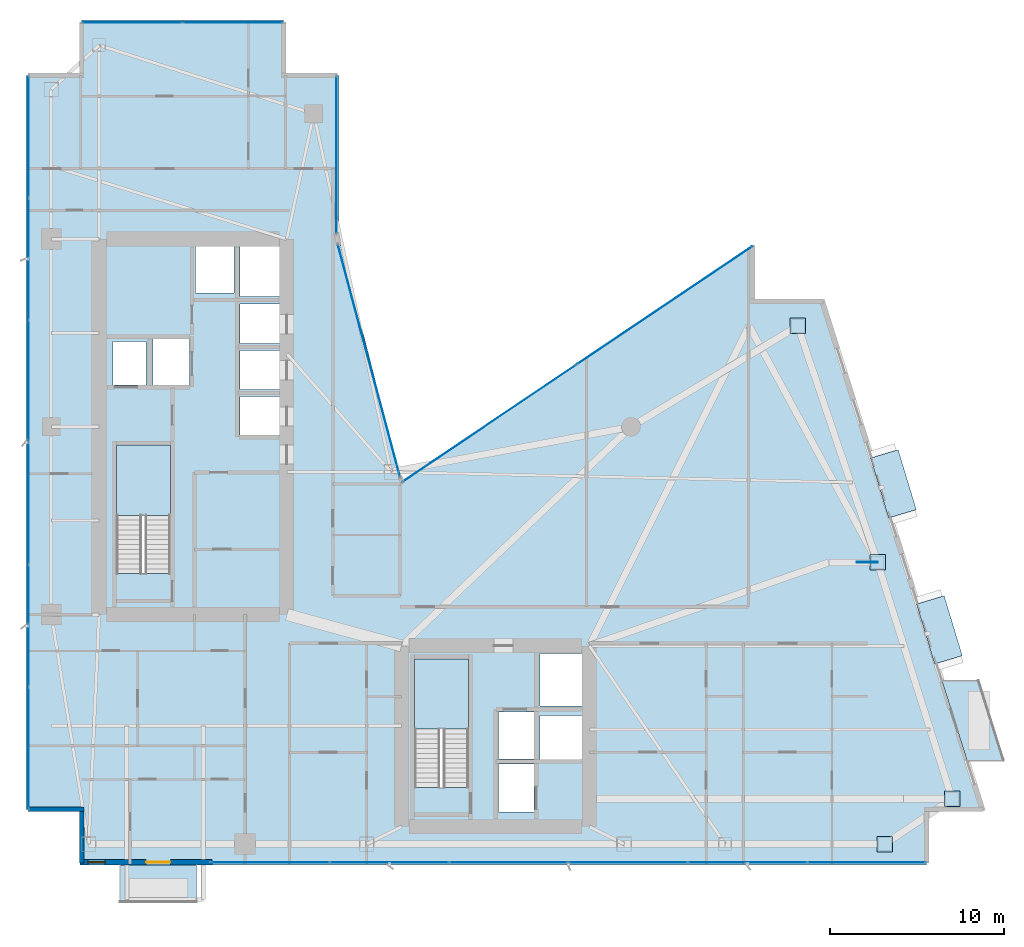
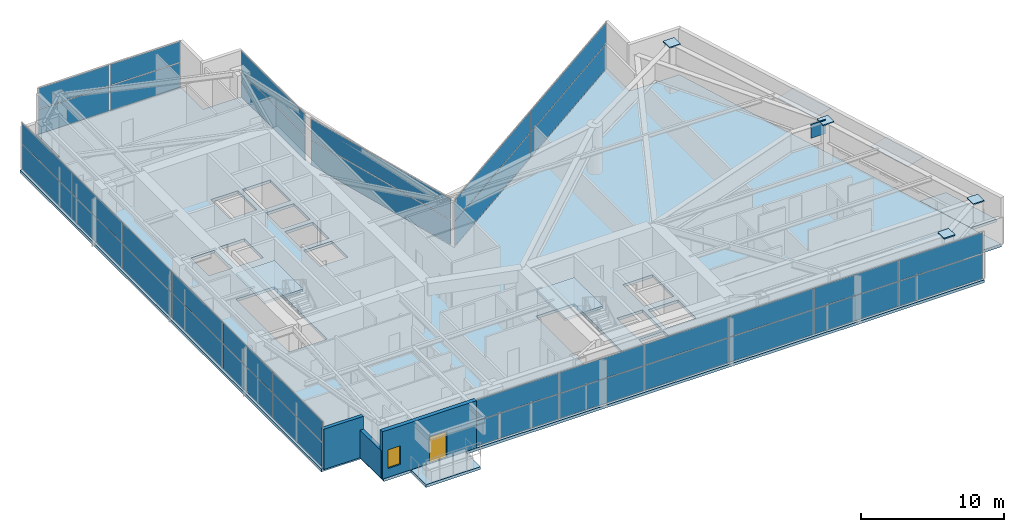
# One storey, part 23 of 30: 43 plates, 5 slabs, 3 walls, 1 door, 1 window, 2 openings, 8 elements without a shape of their own.
"""IFC4 building model written with IfcOpenShell, lengths in metres."""

from ifc_helpers import new_model, si_unit, direction, frame, frame_2d, origin, origin_2d, place, context, subcontext, project, spatial, polyline, rectangle, outline, extrude, material, layer, layer_set, type_object, element, fill, aggregate, save


model = new_model("IFC4")

# Units and contexts
model_context = context("Model", 3, precision=1e-05, world=origin(), true_north=direction((0.0, 1.0)))
body_context = subcontext(model_context, "Body", "Model", "MODEL_VIEW")
ifc_project = project(units=[si_unit("LENGTHUNIT", "METRE"), si_unit("AREAUNIT", "SQUARE_METRE"), si_unit("VOLUMEUNIT", "CUBIC_METRE"), si_unit("PLANEANGLEUNIT", "RADIAN"), si_unit("MASSUNIT", "GRAM", prefix="KILO")], contexts=[model_context])

# Site, building, storey
site_placement = place(None, origin())
site = spatial("IfcSite", under=ifc_project, at=site_placement, CompositionType="ELEMENT")
building_placement = place(site_placement, origin())
building = spatial("IfcBuilding", under=site, at=building_placement, Name="Calvorn Quay Hotel", CompositionType="ELEMENT")
storey_placement = place(building_placement, frame((0.0, 0.0, 195.10009765625)))
storey = spatial("IfcBuildingStorey", under=building, at=storey_placement, Name="L48", CompositionType="ELEMENT", Elevation=195.10009765625)

# Curtain wall, plates
ifc_material_1 = material(Name="Champagne Bronze Anodised Aluminium and Low-E Glass", Category="aluminium")
ifc_layer_1 = layer(ifc_material_1, 0.219970703125)
ifc_layer_set_1 = layer_set([ifc_layer_1], Name="CW-SYS-Z3")
curtain_wall_type = type_object("IfcCurtainWallType", Name="CW-SYS-Z3", PredefinedType="NOTDEFINED", material=ifc_layer_set_1)
curtain_wall_1_placement = place(storey_placement, origin())
curtain_wall_1 = element("IfcCurtainWall", 1, at=curtain_wall_1_placement, inside=storey, type_object=curtain_wall_type, Name="Tower West Curtain Wall (L48)", PredefinedType="NOTDEFINED")
ifc_material_2 = material(Name="Low-E Laminated Double Glazing", Category="glass")
ifc_layer_2 = layer(ifc_material_2, 0.028076171875)
ifc_layer_set_2 = layer_set([ifc_layer_2], Name="CW-SYS-Z3-PAN")
plate_type_1 = type_object("IfcPlateType", Name="CW-SYS-Z3-PAN", PredefinedType="CURTAIN_PANEL", material=ifc_layer_set_2)
plate_1_placement = place(storey_placement, frame((0.14990234375, 9.131591796875, 0.06005859375), z_axis=(0.0, 0.0, 1.0), x_axis=(0.0, 1.0, 0.0)))
plate_1 = element("IfcPlate", 2, at=plate_1_placement, type_object=plate_type_1, Name="CW-L48-W panel 1.1", PredefinedType="CURTAIN_PANEL", context=body_context, shape_type="SweptSolid", body=[
    extrude(rectangle(XDim=6.943359375, YDim=0.028076171875, at=origin_2d()), origin(), (0.0, 0.0, 1.0), 2.110107421875),
])
plate_2_placement = place(storey_placement, frame((0.14990234375, 9.131591796875, 2.22998046875), z_axis=(0.0, 0.0, 1.0), x_axis=(0.0, 1.0, 0.0)))
plate_2 = element("IfcPlate", 3, at=plate_2_placement, type_object=plate_type_1, Name="CW-L48-W panel 1.2", PredefinedType="CURTAIN_PANEL", context=body_context, shape_type="SweptSolid", body=[
    extrude(rectangle(XDim=6.943359375, YDim=0.028076171875, at=origin_2d()), origin(), (0.0, 0.0, 1.0), 1.760009765625),
])
plate_3_placement = place(storey_placement, frame((0.14990234375, 16.14990234375, 0.06005859375), z_axis=(0.0, 0.0, 1.0), x_axis=(0.0, 1.0, 0.0)))
plate_3 = element("IfcPlate", 4, at=plate_3_placement, type_object=plate_type_1, Name="CW-L48-W panel 2.1", PredefinedType="CURTAIN_PANEL", context=body_context, shape_type="SweptSolid", body=[
    extrude(rectangle(XDim=6.973388671875, YDim=0.028076171875, at=origin_2d()), origin(), (0.0, 0.0, 1.0), 2.110107421875),
])
plate_4_placement = place(storey_placement, frame((0.14990234375, 16.14990234375, 2.22998046875), z_axis=(0.0, 0.0, 1.0), x_axis=(0.0, 1.0, 0.0)))
plate_4 = element("IfcPlate", 5, at=plate_4_placement, type_object=plate_type_1, Name="CW-L48-W panel 2.2", PredefinedType="CURTAIN_PANEL", context=body_context, shape_type="SweptSolid", body=[
    extrude(rectangle(XDim=6.973388671875, YDim=0.028076171875, at=origin_2d()), origin(), (0.0, 0.0, 1.0), 1.760009765625),
])
plate_5_placement = place(storey_placement, frame((0.14990234375, 23.183349609375, 0.06005859375), z_axis=(0.0, 0.0, 1.0), x_axis=(0.0, 1.0, 0.0)))
plate_5 = element("IfcPlate", 6, at=plate_5_placement, type_object=plate_type_1, Name="CW-L48-W panel 3.1", PredefinedType="CURTAIN_PANEL", context=body_context, shape_type="SweptSolid", body=[
    extrude(rectangle(XDim=6.973388671875, YDim=0.028076171875, at=origin_2d()), origin(), (0.0, 0.0, 1.0), 2.110107421875),
])
plate_6_placement = place(storey_placement, frame((0.14990234375, 23.183349609375, 2.22998046875), z_axis=(0.0, 0.0, 1.0), x_axis=(0.0, 1.0, 0.0)))
plate_6 = element("IfcPlate", 7, at=plate_6_placement, type_object=plate_type_1, Name="CW-L48-W panel 3.2", PredefinedType="CURTAIN_PANEL", context=body_context, shape_type="SweptSolid", body=[
    extrude(rectangle(XDim=6.973388671875, YDim=0.028076171875, at=origin_2d()), origin(), (0.0, 0.0, 1.0), 1.760009765625),
])
plate_7_placement = place(storey_placement, frame((0.14990234375, 30.216552734375, 0.06005859375), z_axis=(0.0, 0.0, 1.0), x_axis=(0.0, 1.0, 0.0)))
plate_7 = element("IfcPlate", 8, at=plate_7_placement, type_object=plate_type_1, Name="CW-L48-W panel 4.1", PredefinedType="CURTAIN_PANEL", context=body_context, shape_type="SweptSolid", body=[
    extrude(rectangle(XDim=6.973388671875, YDim=0.028076171875, at=origin_2d()), origin(), (0.0, 0.0, 1.0), 2.110107421875),
])
plate_8_placement = place(storey_placement, frame((0.14990234375, 30.216552734375, 2.22998046875), z_axis=(0.0, 0.0, 1.0), x_axis=(0.0, 1.0, 0.0)))
plate_8 = element("IfcPlate", 9, at=plate_8_placement, type_object=plate_type_1, Name="CW-L48-W panel 4.2", PredefinedType="CURTAIN_PANEL", context=body_context, shape_type="SweptSolid", body=[
    extrude(rectangle(XDim=6.973388671875, YDim=0.028076171875, at=origin_2d()), origin(), (0.0, 0.0, 1.0), 1.760009765625),
])
plate_9_placement = place(storey_placement, frame((0.14990234375, 37.25, 0.06005859375), z_axis=(0.0, 0.0, 1.0), x_axis=(0.0, 1.0, 0.0)))
plate_9 = element("IfcPlate", 10, at=plate_9_placement, type_object=plate_type_1, Name="CW-L48-W panel 5.1", PredefinedType="CURTAIN_PANEL", context=body_context, shape_type="SweptSolid", body=[
    extrude(rectangle(XDim=6.973388671875, YDim=0.028076171875, at=origin_2d()), origin(), (0.0, 0.0, 1.0), 2.110107421875),
])
plate_10_placement = place(storey_placement, frame((0.14990234375, 37.25, 2.22998046875), z_axis=(0.0, 0.0, 1.0), x_axis=(0.0, 1.0, 0.0)))
plate_10 = element("IfcPlate", 11, at=plate_10_placement, type_object=plate_type_1, Name="CW-L48-W panel 5.2", PredefinedType="CURTAIN_PANEL", context=body_context, shape_type="SweptSolid", body=[
    extrude(rectangle(XDim=6.973388671875, YDim=0.028076171875, at=origin_2d()), origin(), (0.0, 0.0, 1.0), 1.760009765625),
])
plate_11_placement = place(storey_placement, frame((0.14990234375, 44.268310546875, 0.06005859375), z_axis=(0.0, 0.0, 1.0), x_axis=(0.0, 1.0, 0.0)))
plate_11 = element("IfcPlate", 12, at=plate_11_placement, type_object=plate_type_1, Name="CW-L48-W panel 6.1", PredefinedType="CURTAIN_PANEL", context=body_context, shape_type="SweptSolid", body=[
    extrude(rectangle(XDim=6.943359375, YDim=0.028076171875, at=origin_2d()), origin(), (0.0, 0.0, 1.0), 2.110107421875),
])
plate_12_placement = place(storey_placement, frame((0.14990234375, 44.268310546875, 2.22998046875), z_axis=(0.0, 0.0, 1.0), x_axis=(0.0, 1.0, 0.0)))
plate_12 = element("IfcPlate", 13, at=plate_12_placement, type_object=plate_type_1, Name="CW-L48-W panel 6.2", PredefinedType="CURTAIN_PANEL", context=body_context, shape_type="SweptSolid", body=[
    extrude(rectangle(XDim=6.943359375, YDim=0.028076171875, at=origin_2d()), origin(), (0.0, 0.0, 1.0), 1.760009765625),
])
aggregate(curtain_wall_1, [plate_1, plate_2, plate_3, plate_4, plate_5, plate_6, plate_7, plate_8, plate_9, plate_10, plate_11, plate_12])

curtain_wall_2_placement = place(storey_placement, origin())
curtain_wall_2 = element("IfcCurtainWall", 14, at=curtain_wall_2_placement, inside=storey, type_object=curtain_wall_type, Name="Tower South Waterfront Curtain Wall (L48)", PredefinedType="NOTDEFINED")
plate_13_placement = place(storey_placement, frame((14.04833984375, 2.550048828125, 0.06005859375), z_axis=(0.0, 0.0, 1.0), x_axis=(1.0, 0.0, 0.0)))
plate_13 = element("IfcPlate", 15, at=plate_13_placement, type_object=plate_type_1, Name="CW-L48-S panel 1.1", PredefinedType="CURTAIN_PANEL", context=body_context, shape_type="SweptSolid", body=[
    extrude(rectangle(XDim=6.776611328125, YDim=0.028076171875, at=origin_2d()), origin(), (0.0, 0.0, 1.0), 2.110107421875),
])
plate_14_placement = place(storey_placement, frame((14.04833984375, 2.550048828125, 2.22998046875), z_axis=(0.0, 0.0, 1.0), x_axis=(1.0, 0.0, 0.0)))
plate_14 = element("IfcPlate", 16, at=plate_14_placement, type_object=plate_type_1, Name="CW-L48-S panel 1.2", PredefinedType="CURTAIN_PANEL", context=body_context, shape_type="SweptSolid", body=[
    extrude(rectangle(XDim=6.776611328125, YDim=0.028076171875, at=origin_2d()), origin(), (0.0, 0.0, 1.0), 1.760009765625),
])
plate_15_placement = place(storey_placement, frame((20.89990234375, 2.550048828125, 0.06005859375), z_axis=(0.0, 0.0, 1.0), x_axis=(1.0, 0.0, 0.0)))
plate_15 = element("IfcPlate", 17, at=plate_15_placement, type_object=plate_type_1, Name="CW-L48-S panel 2.1", PredefinedType="CURTAIN_PANEL", context=body_context, shape_type="SweptSolid", body=[
    extrude(rectangle(XDim=6.806640625, YDim=0.028076171875, at=origin_2d()), origin(), (0.0, 0.0, 1.0), 2.110107421875),
])
plate_16_placement = place(storey_placement, frame((20.89990234375, 2.550048828125, 2.22998046875), z_axis=(0.0, 0.0, 1.0), x_axis=(1.0, 0.0, 0.0)))
plate_16 = element("IfcPlate", 18, at=plate_16_placement, type_object=plate_type_1, Name="CW-L48-S panel 2.2", PredefinedType="CURTAIN_PANEL", context=body_context, shape_type="SweptSolid", body=[
    extrude(rectangle(XDim=6.806640625, YDim=0.028076171875, at=origin_2d()), origin(), (0.0, 0.0, 1.0), 1.760009765625),
])
plate_17_placement = place(storey_placement, frame((27.7666015625, 2.550048828125, 0.06005859375), z_axis=(0.0, 0.0, 1.0), x_axis=(1.0, 0.0, 0.0)))
plate_17 = element("IfcPlate", 19, at=plate_17_placement, type_object=plate_type_1, Name="CW-L48-S panel 3.1", PredefinedType="CURTAIN_PANEL", context=body_context, shape_type="SweptSolid", body=[
    extrude(rectangle(XDim=6.806640625, YDim=0.028076171875, at=origin_2d()), origin(), (0.0, 0.0, 1.0), 2.110107421875),
])
plate_18_placement = place(storey_placement, frame((27.7666015625, 2.550048828125, 2.22998046875), z_axis=(0.0, 0.0, 1.0), x_axis=(1.0, 0.0, 0.0)))
plate_18 = element("IfcPlate", 20, at=plate_18_placement, type_object=plate_type_1, Name="CW-L48-S panel 3.2", PredefinedType="CURTAIN_PANEL", context=body_context, shape_type="SweptSolid", body=[
    extrude(rectangle(XDim=6.806640625, YDim=0.028076171875, at=origin_2d()), origin(), (0.0, 0.0, 1.0), 1.760009765625),
])
plate_19_placement = place(storey_placement, frame((34.63330078125, 2.550048828125, 0.06005859375), z_axis=(0.0, 0.0, 1.0), x_axis=(1.0, 0.0, 0.0)))
plate_19 = element("IfcPlate", 21, at=plate_19_placement, type_object=plate_type_1, Name="CW-L48-S panel 4.1", PredefinedType="CURTAIN_PANEL", context=body_context, shape_type="SweptSolid", body=[
    extrude(rectangle(XDim=6.806640625, YDim=0.028076171875, at=origin_2d()), origin(), (0.0, 0.0, 1.0), 2.110107421875),
])
plate_20_placement = place(storey_placement, frame((34.63330078125, 2.550048828125, 2.22998046875), z_axis=(0.0, 0.0, 1.0), x_axis=(1.0, 0.0, 0.0)))
plate_20 = element("IfcPlate", 22, at=plate_20_placement, type_object=plate_type_1, Name="CW-L48-S panel 4.2", PredefinedType="CURTAIN_PANEL", context=body_context, shape_type="SweptSolid", body=[
    extrude(rectangle(XDim=6.806640625, YDim=0.028076171875, at=origin_2d()), origin(), (0.0, 0.0, 1.0), 1.760009765625),
])
plate_21_placement = place(storey_placement, frame((41.5, 2.550048828125, 0.06005859375), z_axis=(0.0, 0.0, 1.0), x_axis=(1.0, 0.0, 0.0)))
plate_21 = element("IfcPlate", 23, at=plate_21_placement, type_object=plate_type_1, Name="CW-L48-S panel 5.1", PredefinedType="CURTAIN_PANEL", context=body_context, shape_type="SweptSolid", body=[
    extrude(rectangle(XDim=6.806640625, YDim=0.028076171875, at=origin_2d()), origin(), (0.0, 0.0, 1.0), 2.110107421875),
])
plate_22_placement = place(storey_placement, frame((41.5, 2.550048828125, 2.22998046875), z_axis=(0.0, 0.0, 1.0), x_axis=(1.0, 0.0, 0.0)))
plate_22 = element("IfcPlate", 24, at=plate_22_placement, type_object=plate_type_1, Name="CW-L48-S panel 5.2", PredefinedType="CURTAIN_PANEL", context=body_context, shape_type="SweptSolid", body=[
    extrude(rectangle(XDim=6.806640625, YDim=0.028076171875, at=origin_2d()), origin(), (0.0, 0.0, 1.0), 1.760009765625),
])
plate_23_placement = place(storey_placement, frame((48.3515625, 2.550048828125, 0.06005859375), z_axis=(0.0, 0.0, 1.0), x_axis=(1.0, 0.0, 0.0)))
plate_23 = element("IfcPlate", 25, at=plate_23_placement, type_object=plate_type_1, Name="CW-L48-S panel 6.1", PredefinedType="CURTAIN_PANEL", context=body_context, shape_type="SweptSolid", body=[
    extrude(rectangle(XDim=6.776611328125, YDim=0.028076171875, at=origin_2d()), origin(), (0.0, 0.0, 1.0), 2.110107421875),
])
plate_24_placement = place(storey_placement, frame((48.3515625, 2.550048828125, 2.22998046875), z_axis=(0.0, 0.0, 1.0), x_axis=(1.0, 0.0, 0.0)))
plate_24 = element("IfcPlate", 26, at=plate_24_placement, type_object=plate_type_1, Name="CW-L48-S panel 6.2", PredefinedType="CURTAIN_PANEL", context=body_context, shape_type="SweptSolid", body=[
    extrude(rectangle(XDim=6.776611328125, YDim=0.028076171875, at=origin_2d()), origin(), (0.0, 0.0, 1.0), 1.760009765625),
])
aggregate(curtain_wall_2, [plate_13, plate_14, plate_15, plate_16, plate_17, plate_18, plate_19, plate_20, plate_21, plate_22, plate_23, plate_24])

curtain_wall_3_placement = place(storey_placement, origin())
curtain_wall_3 = element("IfcCurtainWall", 27, at=curtain_wall_3_placement, inside=storey, type_object=curtain_wall_type, Name="Inner Court Curtain Wall L48-NE1", PredefinedType="NOTDEFINED")
plate_25_placement = place(storey_placement, frame((36.737548828125, 34.591552734375, 0.06005859375), z_axis=(0.0, 0.0, 1.0), x_axis=(-0.82951457798, -0.558485062395, 0.0)))
plate_25 = element("IfcPlate", 28, at=plate_25_placement, type_object=plate_type_1, Name="CW-L48-NE1 panel 1.1", PredefinedType="CURTAIN_PANEL", context=body_context, shape_type="SweptSolid", body=[
    extrude(rectangle(XDim=12.085693359375, YDim=0.028076171875, at=origin_2d()), origin(), (0.0, 0.0, 1.0), 2.110107421875),
])
plate_26_placement = place(storey_placement, frame((36.737548828125, 34.591552734375, 2.22998046875), z_axis=(0.0, 0.0, 1.0), x_axis=(-0.82951457798, -0.558485062395, 0.0)))
plate_26 = element("IfcPlate", 29, at=plate_26_placement, type_object=plate_type_1, Name="CW-L48-NE1 panel 1.2", PredefinedType="CURTAIN_PANEL", context=body_context, shape_type="SweptSolid", body=[
    extrude(rectangle(XDim=12.085693359375, YDim=0.028076171875, at=origin_2d()), origin(), (0.0, 0.0, 1.0), 1.760009765625),
])
plate_27_placement = place(storey_placement, frame((26.662353515625, 27.808349609375, 0.06005859375), z_axis=(0.0, 0.0, 1.0), x_axis=(-0.82951457798, -0.558485062395, 0.0)))
plate_27 = element("IfcPlate", 30, at=plate_27_placement, type_object=plate_type_1, Name="CW-L48-NE1 panel 2.1", PredefinedType="CURTAIN_PANEL", context=body_context, shape_type="SweptSolid", body=[
    extrude(rectangle(XDim=12.085693359375, YDim=0.028076171875, at=origin_2d()), origin(), (0.0, 0.0, 1.0), 2.110107421875),
])
plate_28_placement = place(storey_placement, frame((26.662353515625, 27.808349609375, 2.22998046875), z_axis=(0.0, 0.0, 1.0), x_axis=(-0.82951457798, -0.558485062395, 0.0)))
plate_28 = element("IfcPlate", 31, at=plate_28_placement, type_object=plate_type_1, Name="CW-L48-NE1 panel 2.2", PredefinedType="CURTAIN_PANEL", context=body_context, shape_type="SweptSolid", body=[
    extrude(rectangle(XDim=12.085693359375, YDim=0.028076171875, at=origin_2d()), origin(), (0.0, 0.0, 1.0), 1.760009765625),
])
aggregate(curtain_wall_3, [plate_25, plate_26, plate_27, plate_28])

curtain_wall_4_placement = place(storey_placement, origin())
curtain_wall_4 = element("IfcCurtainWall", 32, at=curtain_wall_4_placement, inside=storey, type_object=curtain_wall_type, Name="Inner Court Curtain Wall L48-IC1", PredefinedType="NOTDEFINED")
plate_29_placement = place(storey_placement, frame((19.72509765625, 31.39990234375, 0.06005859375), z_axis=(0.0, 0.0, 1.0), x_axis=(-0.25877913024, 0.96593652056, 0.0)))
plate_29 = element("IfcPlate", 33, at=plate_29_placement, type_object=plate_type_1, Name="CW-L48-IC1 panel 1.1", PredefinedType="CURTAIN_PANEL", context=body_context, shape_type="SweptSolid", body=[
    extrude(rectangle(XDim=13.814697265625, YDim=0.028076171875, at=origin_2d()), origin(), (0.0, 0.0, 1.0), 2.110107421875),
])
plate_30_placement = place(storey_placement, frame((19.72509765625, 31.39990234375, 2.22998046875), z_axis=(0.0, 0.0, 1.0), x_axis=(-0.25877913024, 0.96593652056, 0.0)))
plate_30 = element("IfcPlate", 34, at=plate_30_placement, type_object=plate_type_1, Name="CW-L48-IC1 panel 1.2", PredefinedType="CURTAIN_PANEL", context=body_context, shape_type="SweptSolid", body=[
    extrude(rectangle(XDim=13.814697265625, YDim=0.028076171875, at=origin_2d()), origin(), (0.0, 0.0, 1.0), 1.760009765625),
])
aggregate(curtain_wall_4, [plate_29, plate_30])

curtain_wall_5_placement = place(storey_placement, origin())
curtain_wall_5 = element("IfcCurtainWall", 35, at=curtain_wall_5_placement, inside=storey, type_object=curtain_wall_type, Name="Inner Court Curtain Wall L48-IC2", PredefinedType="NOTDEFINED")
plate_31_placement = place(storey_placement, frame((17.85009765625, 43.239990234375, 0.06005859375), z_axis=(0.0, 0.0, 1.0), x_axis=(0.0, 1.0, 0.0)))
plate_31 = element("IfcPlate", 36, at=plate_31_placement, type_object=plate_type_1, Name="CW-L48-IC2 panel 1.1", PredefinedType="CURTAIN_PANEL", context=body_context, shape_type="SweptSolid", body=[
    extrude(rectangle(XDim=9.0, YDim=0.028076171875, at=origin_2d()), origin(), (0.0, 0.0, 1.0), 2.110107421875),
])
plate_32_placement = place(storey_placement, frame((17.85009765625, 43.239990234375, 2.22998046875), z_axis=(0.0, 0.0, 1.0), x_axis=(0.0, 1.0, 0.0)))
plate_32 = element("IfcPlate", 37, at=plate_32_placement, type_object=plate_type_1, Name="CW-L48-IC2 panel 1.2", PredefinedType="CURTAIN_PANEL", context=body_context, shape_type="SweptSolid", body=[
    extrude(rectangle(XDim=9.0, YDim=0.028076171875, at=origin_2d()), origin(), (0.0, 0.0, 1.0), 1.760009765625),
])
aggregate(curtain_wall_5, [plate_31, plate_32])

curtain_wall_6_placement = place(storey_placement, origin())
curtain_wall_6 = element("IfcCurtainWall", 38, at=curtain_wall_6_placement, inside=storey, type_object=curtain_wall_type, Name="Inner Court Curtain Wall L48-N1", PredefinedType="NOTDEFINED")
plate_33_placement = place(storey_placement, frame((11.885009765625, 50.85009765625, 0.06005859375), z_axis=(0.0, 0.0, 1.0), x_axis=(-1.0, 0.0, 0.0)))
plate_33 = element("IfcPlate", 39, at=plate_33_placement, type_object=plate_type_1, Name="CW-L48-N1 panel 1.1", PredefinedType="CURTAIN_PANEL", context=body_context, shape_type="SweptSolid", body=[
    extrude(rectangle(XDim=5.7099609375, YDim=0.028076171875, at=origin_2d()), origin(), (0.0, 0.0, 1.0), 2.110107421875),
])
plate_34_placement = place(storey_placement, frame((11.885009765625, 50.85009765625, 2.22998046875), z_axis=(0.0, 0.0, 1.0), x_axis=(-1.0, 0.0, 0.0)))
plate_34 = element("IfcPlate", 40, at=plate_34_placement, type_object=plate_type_1, Name="CW-L48-N1 panel 1.2", PredefinedType="CURTAIN_PANEL", context=body_context, shape_type="SweptSolid", body=[
    extrude(rectangle(XDim=5.7099609375, YDim=0.028076171875, at=origin_2d()), origin(), (0.0, 0.0, 1.0), 1.760009765625),
])
plate_35_placement = place(storey_placement, frame((6.114990234375, 50.85009765625, 0.06005859375), z_axis=(0.0, 0.0, 1.0), x_axis=(-1.0, 0.0, 0.0)))
plate_35 = element("IfcPlate", 41, at=plate_35_placement, type_object=plate_type_1, Name="CW-L48-N1 panel 2.1", PredefinedType="CURTAIN_PANEL", context=body_context, shape_type="SweptSolid", body=[
    extrude(rectangle(XDim=5.7099609375, YDim=0.028076171875, at=origin_2d()), origin(), (0.0, 0.0, 1.0), 2.110107421875),
])
plate_36_placement = place(storey_placement, frame((6.114990234375, 50.85009765625, 2.22998046875), z_axis=(0.0, 0.0, 1.0), x_axis=(-1.0, 0.0, 0.0)))
plate_36 = element("IfcPlate", 42, at=plate_36_placement, type_object=plate_type_1, Name="CW-L48-N1 panel 2.2", PredefinedType="CURTAIN_PANEL", context=body_context, shape_type="SweptSolid", body=[
    extrude(rectangle(XDim=5.7099609375, YDim=0.028076171875, at=origin_2d()), origin(), (0.0, 0.0, 1.0), 1.760009765625),
])
aggregate(curtain_wall_6, [plate_33, plate_34, plate_35, plate_36])

# Plates
ifc_material_3 = material(Name="Steel Q420GJC", Category="steel")
ifc_layer_3 = layer(ifc_material_3, 0.050048828125)
ifc_layer_set_3 = layer_set([ifc_layer_3], Name="PLT-GUSSET-50")
plate_type_2 = type_object("IfcPlateType", Name="PLT-GUSSET-50", PredefinedType="SHEET", material=ifc_layer_set_3)
plate_37_placement = place(storey_placement, frame((48.3759765625, 19.800048828125, 2.94970703125), z_axis=(0.0, 0.0, 1.0), x_axis=(1.0, 0.0, 0.0)))
element("IfcPlate", 43, at=plate_37_placement, inside=storey, type_object=plate_type_2, Name="Transfer Gusset Plate PG-L48-E1", PredefinedType="SHEET", context=body_context, shape_type="SweptSolid", body=[
    extrude(rectangle(XDim=1.199951171875, YDim=0.050048828125, at=origin_2d()), origin(), (0.0, 0.0, 1.0), 1.199951171875),
])
ifc_material_4 = material(Name="Tempered Laminated Low-E Glass", Category="glass")
ifc_layer_4 = layer(ifc_material_4, 0.0380859375)
ifc_layer_set_4 = layer_set([ifc_layer_4], Name="PLT-HOOD-GLAZ")
plate_type_3 = type_object("IfcPlateType", Name="PLT-HOOD-GLAZ", PredefinedType="SHEET", material=ifc_layer_set_4)
for number, where, z_axis, x_axis, name in (
    (44, (52.534912109375, 15.91796875, 2.466796875), (0.0, 0.0, 1.0), (0.957319497532, 0.289031796944, 0.0), "Angled Glass Bay Hood Panel L48-HOOD-2"),
    (45, (49.888916015625, 24.318115234375, 2.466796875), (0.0, 0.0, 1.0), (0.957319497532, 0.289031796944, 0.0), "Angled Glass Bay Hood Panel L48-HOOD-3"),
):
    element("IfcPlate", number, at=place(storey_placement, frame(where, z_axis=z_axis, x_axis=x_axis)), inside=storey, type_object=plate_type_3, Name=name, PredefinedType="SHEET", context=body_context, shape_type="SweptSolid", body=[
        extrude(rectangle(XDim=1.659912109375, YDim=3.60009765625, at=origin_2d()), origin(), (0.0, 0.0, 1.0), 0.0380859375),
    ])
ifc_material_5 = material(Name="Steel Q390GJC", Category="steel")
ifc_layer_5 = layer(ifc_material_5, 0.031982421875)
ifc_layer_set_5 = layer_set([ifc_layer_5], Name="PLT-SPLICE-32")
plate_type_4 = type_object("IfcPlateType", Name="PLT-SPLICE-32", PredefinedType="USERDEFINED", material=ifc_layer_set_5)
for number, where, z_axis, x_axis, name in (
    (46, (49.39990234375, 3.60009765625, 3.98974609375), (0.0, 0.0, 1.0), (1.0, 0.0, 0.0), "Column Top Cap Plate C-S5 (L48)"),
    (47, (53.260986328125, 6.199951171875, 3.98974609375), (0.0, 0.0, 1.0), (1.0, 0.0, 0.0), "Column Top Cap Plate C-ET1 (L48)"),
    (48, (48.97607421875, 19.800048828125, 3.98974609375), (0.0, 0.0, 1.0), (1.0, 0.0, 0.0), "Column Top Cap Plate C-ET2 (L48)"),
    (49, (44.39111328125, 33.39990234375, 3.98974609375), (0.0, 0.0, 1.0), (1.0, 0.0, 0.0), "Column Top Cap Plate C-ET3 (L48)"),
):
    element("IfcPlate", number, at=place(storey_placement, frame(where, z_axis=z_axis, x_axis=x_axis)), inside=storey, type_object=plate_type_4, Name=name, ObjectType="SPLICE_PLATE", PredefinedType="USERDEFINED", context=body_context, shape_type="SweptSolid", body=[
        extrude(rectangle(XDim=0.889892578125, YDim=0.889892578125, at=origin_2d()), origin(), (0.0, 0.0, 1.0), 0.10009765625),
    ])

# Slabs
ifc_material_6 = material(Name="Concrete C40", Category="concrete")
ifc_layer_6 = layer(ifc_material_6, 0.239990234375)
ifc_layer_set_6 = layer_set([ifc_layer_6], Name="SLB-BALCONY-220")
slab_type_1 = type_object("IfcSlabType", Name="SLB-BALCONY-220", PredefinedType="FLOOR", material=ifc_layer_set_6)
slab_1_placement = place(storey_placement, frame((0.0, 0.0, -0.239990234375)))
element("IfcSlab", 50, at=slab_1_placement, inside=storey, type_object=slab_type_1, Name="Tree Balcony Slab L48-BALC-E", PredefinedType="FLOOR", context=body_context, shape_type="SweptSolid", body=[
    extrude(outline(polyline([(54.1279296875, 8.39990234375), (56.22802734375, 8.39990234375), (54.778076171875, 13.0), (52.677978515625, 13.0), (54.1279296875, 8.39990234375)])), origin(), (0.0, 0.0, 1.0), 0.239990234375),
])
slab_2_placement = place(storey_placement, frame((0.0, 0.0, -0.239990234375)))
element("IfcSlab", 51, at=slab_2_placement, inside=storey, type_object=slab_type_1, Name="Tree Balcony Slab L48-BALC-S", PredefinedType="FLOOR", context=body_context, shape_type="SweptSolid", body=[
    extrude(outline(polyline([(5.39990234375, 0.2900390625), (9.800048828125, 0.2900390625), (9.800048828125, 2.389892578125), (5.39990234375, 2.389892578125), (5.39990234375, 0.2900390625)])), origin(), (0.0, 0.0, 1.0), 0.239990234375),
])

# Stair, slab
ifc_material_7 = material(Name="Concrete C40", Category="concrete")
stair_type = type_object("IfcStairType", Name="STR-CORE-DOGLEG", PredefinedType="HALF_TURN_STAIR", material=ifc_material_7)
stair_1_placement = place(storey_placement, origin())
stair_1 = element("IfcStair", 52, at=stair_1_placement, inside=storey, type_object=stair_type, Name="L48 ST-W", PredefinedType="HALF_TURN_STAIR")
ifc_material_8 = material(Name="Concrete C40", Category="concrete")
ifc_layer_7 = layer(ifc_material_8, 0.199951171875)
ifc_layer_set_7 = layer_set([ifc_layer_7], Name="SLB-STAIR-LANDING-200")
slab_type_2 = type_object("IfcSlabType", Name="SLB-STAIR-LANDING-200", PredefinedType="LANDING", material=ifc_layer_set_7)
slab_3_placement = place(storey_placement, frame((0.0, 0.0, 2.0498046875)))
slab_3 = element("IfcSlab", 53, at=slab_3_placement, type_object=slab_type_2, Name="ST-W landing 1", PredefinedType="LANDING", context=body_context, shape_type="SweptSolid", body=[
    extrude(outline(polyline([(8.300048828125, 22.510009765625), (8.300048828125, 26.550048828125), (5.199951171875, 26.550048828125), (5.199951171875, 22.510009765625), (8.300048828125, 22.510009765625)])), origin(), (0.0, 0.0, 1.0), 0.2001953125),
])
aggregate(stair_1, [slab_3])

stair_2_placement = place(storey_placement, origin())
stair_2 = element("IfcStair", 54, at=stair_2_placement, inside=storey, type_object=stair_type, Name="L48 ST-E", PredefinedType="HALF_TURN_STAIR")
slab_4_placement = place(storey_placement, frame((0.0, 0.0, 2.0498046875)))
slab_4 = element("IfcSlab", 55, at=slab_4_placement, type_object=slab_type_2, Name="ST-E landing 1", PredefinedType="LANDING", context=body_context, shape_type="SweptSolid", body=[
    extrude(outline(polyline([(25.449951171875, 10.2099609375), (25.449951171875, 14.25), (22.35009765625, 14.25), (22.35009765625, 10.2099609375), (25.449951171875, 10.2099609375)])), origin(), (0.0, 0.0, 1.0), 0.2001953125),
])
aggregate(stair_2, [slab_4])

# Slab
ifc_material_9 = material(Name="Concrete C40", Category="concrete")
ifc_layer_8 = layer(ifc_material_9, 0.239990234375)
ifc_layer_set_8 = layer_set([ifc_layer_8], Name="SLB-TOWER-240")
slab_type_3 = type_object("IfcSlabType", Name="SLB-TOWER-240", PredefinedType="FLOOR", material=ifc_layer_set_8)
slab_5_placement = place(storey_placement, frame((0.0, 0.0, -0.239990234375)))
element("IfcSlab", 56, at=slab_5_placement, inside=storey, type_object=slab_type_3, Name="L48 Structural Floor Slab", PredefinedType="FLOOR", context=body_context, shape_type="SweptSolid", body=[
    extrude(outline(polyline([(0.0, 5.60009765625), (3.199951171875, 5.60009765625), (3.199951171875, 2.39990234375), (51.800048828125, 2.39990234375), (51.800048828125, 5.60009765625), (55.0, 5.60009765625), (45.800048828125, 34.800048828125), (41.800048828125, 34.800048828125), (41.800048828125, 38.0), (21.60009765625, 24.39990234375), (18.0, 38.39990234375), (18.0, 47.800048828125), (14.800048828125, 47.800048828125), (14.800048828125, 51.0), (3.199951171875, 51.0), (3.199951171875, 47.800048828125), (0.0, 47.800048828125), (0.0, 5.60009765625)]), holes=[polyline([(5.199951171875, 19.156005859375), (8.300048828125, 19.156005859375), (8.300048828125, 26.550048828125), (5.199951171875, 26.550048828125), (5.199951171875, 19.156005859375)]), polyline([(22.35009765625, 6.85595703125), (25.449951171875, 6.85595703125), (25.449951171875, 14.25), (22.35009765625, 14.25), (22.35009765625, 6.85595703125)]), polyline([(5.0, 30.0), (6.89990234375, 30.0), (6.89990234375, 32.5), (5.0, 32.5), (5.0, 30.0)]), polyline([(7.300048828125, 30.0), (9.39990234375, 30.0), (9.39990234375, 32.64990234375), (7.300048828125, 32.64990234375), (7.300048828125, 30.0)]), polyline([(27.159912109375, 8.5), (29.2099609375, 8.5), (29.2099609375, 11.199951171875), (27.159912109375, 11.199951171875), (27.159912109375, 8.5)]), polyline([(27.159912109375, 5.449951171875), (29.2099609375, 5.449951171875), (29.2099609375, 8.199951171875), (27.159912109375, 8.199951171875), (27.159912109375, 5.449951171875)]), polyline([(12.300048828125, 27.10009765625), (14.56494140625, 27.10009765625), (14.56494140625, 29.35009765625), (12.300048828125, 29.35009765625), (12.300048828125, 27.10009765625)]), polyline([(12.300048828125, 29.75), (14.56494140625, 29.75), (14.56494140625, 32.0), (12.300048828125, 32.0), (12.300048828125, 29.75)]), polyline([(12.300048828125, 32.39990234375), (14.56494140625, 32.39990234375), (14.56494140625, 34.64990234375), (12.300048828125, 34.64990234375), (12.300048828125, 32.39990234375)]), polyline([(12.300048828125, 35.10009765625), (14.56494140625, 35.10009765625), (14.56494140625, 37.965087890625), (12.300048828125, 37.965087890625), (12.300048828125, 35.10009765625)]), polyline([(9.75, 35.300048828125), (11.949951171875, 35.300048828125), (11.949951171875, 37.965087890625), (9.75, 37.965087890625), (9.75, 35.300048828125)]), polyline([(29.550048828125, 11.550048828125), (31.965087890625, 11.550048828125), (31.965087890625, 14.56494140625), (29.550048828125, 14.56494140625), (29.550048828125, 11.550048828125)]), polyline([(29.550048828125, 8.449951171875), (31.965087890625, 8.449951171875), (31.965087890625, 11.0), (29.550048828125, 11.0), (29.550048828125, 8.449951171875)])]), origin(), (0.0, 0.0, 1.0), 0.239990234375),
])

# Wall, openings, door, window
ifc_material_10 = material(Name="Concrete C40", Category="concrete")
ifc_layer_9 = layer(ifc_material_10, 0.320068359375)
ifc_layer_set_9 = layer_set([ifc_layer_9], Name="WL-EXT-SPANDREL-320")
wall_type = type_object("IfcWallType", Name="WL-EXT-SPANDREL-320", PredefinedType="SOLIDWALL", material=ifc_layer_set_9)
wall_1_placement = place(storey_placement, frame((3.10009765625, 2.56005859375, 0.0), z_axis=(0.0, 0.0, 1.0), x_axis=(1.0, 0.0, 0.0)))
wall_1 = element("IfcWall", 57, at=wall_1_placement, inside=storey, type_object=wall_type, Name="South Balcony Exterior Wall (L48)", PredefinedType="SOLIDWALL", context=body_context, shape_type="SweptSolid", body=[
    extrude(rectangle(XDim=7.599853515625, YDim=0.320068359375, at=frame_2d((3.7998046875, 0.0))), origin(), (0.0, 0.0, 1.0), 4.0498046875),
])
opening_1_placement = place(wall_1_placement, frame((0.449951171875, 0.0, 0.75)))
opening_1 = element("IfcOpeningElement", 58, at=opening_1_placement, cuts=wall_1, Name="Opening WSB-L48-1", PredefinedType="OPENING", context=body_context, shape_type="SweptSolid", body=[
    extrude(rectangle(XDim=1.0, YDim=1.60009765625, at=frame_2d((0.5, 0.800048828125))), frame((0.0, 0.169921875, 0.0), z_axis=(0.0, -1.0, 0.0), x_axis=(1.0, 0.0, 0.0)), (0.0, 0.0, 1.0), 0.340087890625),
])
opening_2_placement = place(wall_1_placement, frame((3.800048828125, 0.0, 0.0)))
opening_2 = element("IfcOpeningElement", 59, at=opening_2_placement, cuts=wall_1, Name="Opening DB-L48-2", PredefinedType="OPENING", context=body_context, shape_type="SweptSolid", body=[
    extrude(rectangle(XDim=1.39990234375, YDim=2.25, at=frame_2d((0.699951171875, 1.125))), frame((0.0, 0.169921875, 0.0), z_axis=(0.0, -1.0, 0.0), x_axis=(1.0, 0.0, 0.0)), (0.0, 0.0, 1.0), 0.340087890625),
])
ifc_material_11 = material(Name="Typhoon-Rated Low-E Aluminium Terrace Door", Category="aluminium")
door_type = type_object("IfcDoorType", Name="DR-BALCONY-GLZ-1400", OperationType="NOTDEFINED", PredefinedType="DOOR", material=ifc_material_11)
door_placement = place(opening_2_placement, origin())
door = element("IfcDoor", 60, at=door_placement, inside=storey, type_object=door_type, Name="Tree Balcony Terrace Door L48-BALC-S", OperationType="SINGLE_SWING_LEFT", OverallHeight=2.25, OverallWidth=1.39990234375, PredefinedType="DOOR", context=body_context, shape_type="SweptSolid", body=[
    extrude(rectangle(XDim=1.39990234375, YDim=2.25, at=frame_2d((0.699951171875, 1.125))), frame((0.0, 0.02490234375, 0.0), z_axis=(0.0, -1.0, 0.0), x_axis=(1.0, 0.0, 0.0)), (0.0, 0.0, 1.0), 0.050048828125),
])
fill(opening_2, door)
ifc_material_12 = material(Name="Self-Closing Class B Side Fire Window")
window_type = type_object("IfcWindowType", Name="WIN-REFUGE-NARROW-1000x1600", PartitioningType="SINGLE_PANEL", PredefinedType="WINDOW", material=ifc_material_12)
window_placement = place(opening_1_placement, origin())
window = element("IfcWindow", 61, at=window_placement, inside=storey, type_object=window_type, Name="South Waterfront Side Window (L48)", OverallHeight=1.60009765625, OverallWidth=1.0, PartitioningType="SINGLE_PANEL", PredefinedType="WINDOW", context=body_context, shape_type="SweptSolid", body=[
    extrude(rectangle(XDim=1.0, YDim=1.60009765625, at=frame_2d((0.5, 0.800048828125))), frame((0.0, 0.030029296875, 0.0), z_axis=(0.0, -1.0, 0.0), x_axis=(1.0, 0.0, 0.0)), (0.0, 0.0, 1.0), 0.06005859375),
])
fill(opening_1, window)

# Walls
wall_2_placement = place(storey_placement, frame((0.1201171875, 5.60009765625, 0.0), z_axis=(0.0, 0.0, 1.0), x_axis=(1.0, 0.0, 0.0)))
element("IfcWall", 62, at=wall_2_placement, inside=storey, type_object=wall_type, Name="Notched Corner Spandrel L48-SW1", PredefinedType="SOLIDWALL", context=body_context, shape_type="SweptSolid", body=[
    extrude(rectangle(XDim=3.219970703125, YDim=0.280029296875, at=frame_2d((1.60986328125, 0.0))), origin(), (0.0, 0.0, 1.0), 3.449951171875),
])
wall_3_placement = place(storey_placement, frame((3.199951171875, 5.4599609375, 0.0), z_axis=(0.0, 0.0, 1.0), x_axis=(0.0, -1.0, 0.0)))
element("IfcWall", 63, at=wall_3_placement, inside=storey, type_object=wall_type, Name="Notched Corner Spandrel L48-SW2", PredefinedType="SOLIDWALL", context=body_context, shape_type="SweptSolid", body=[
    extrude(rectangle(XDim=2.93994140625, YDim=0.280029296875, at=frame_2d((1.469970703125, 0.0))), origin(), (0.0, 0.0, 1.0), 2.349853515625),
])

save(model, "model.ifc")
